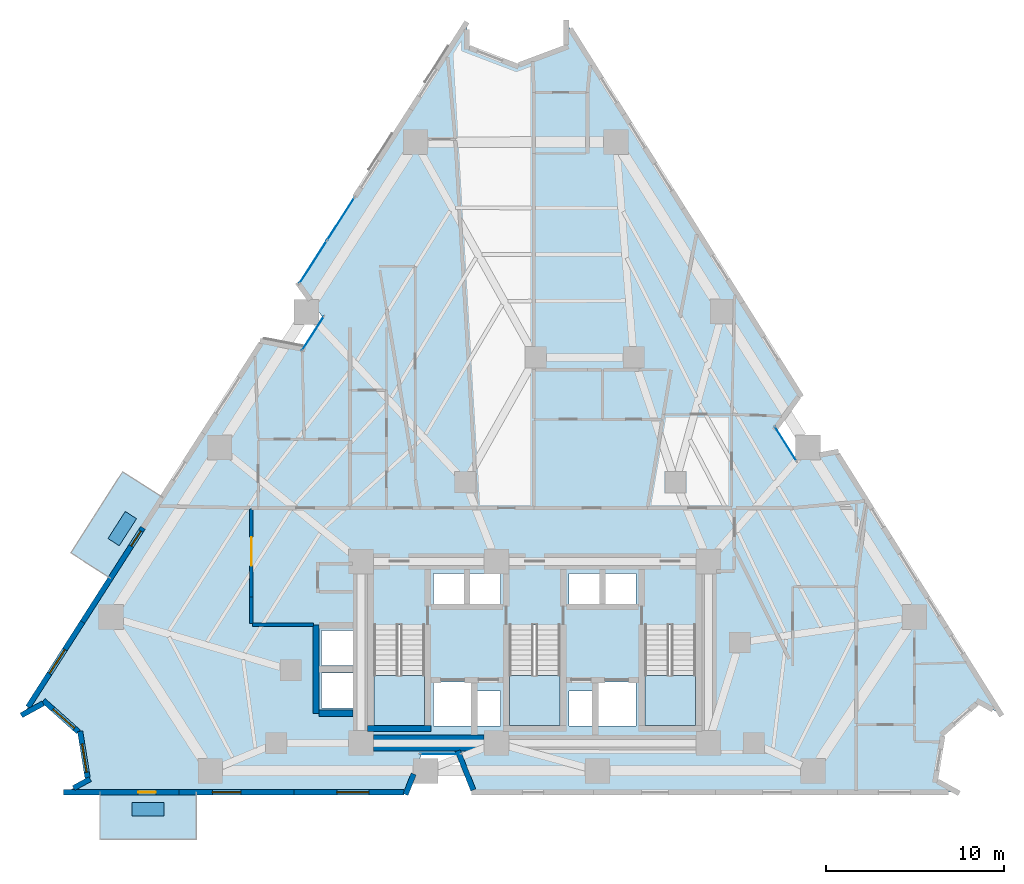
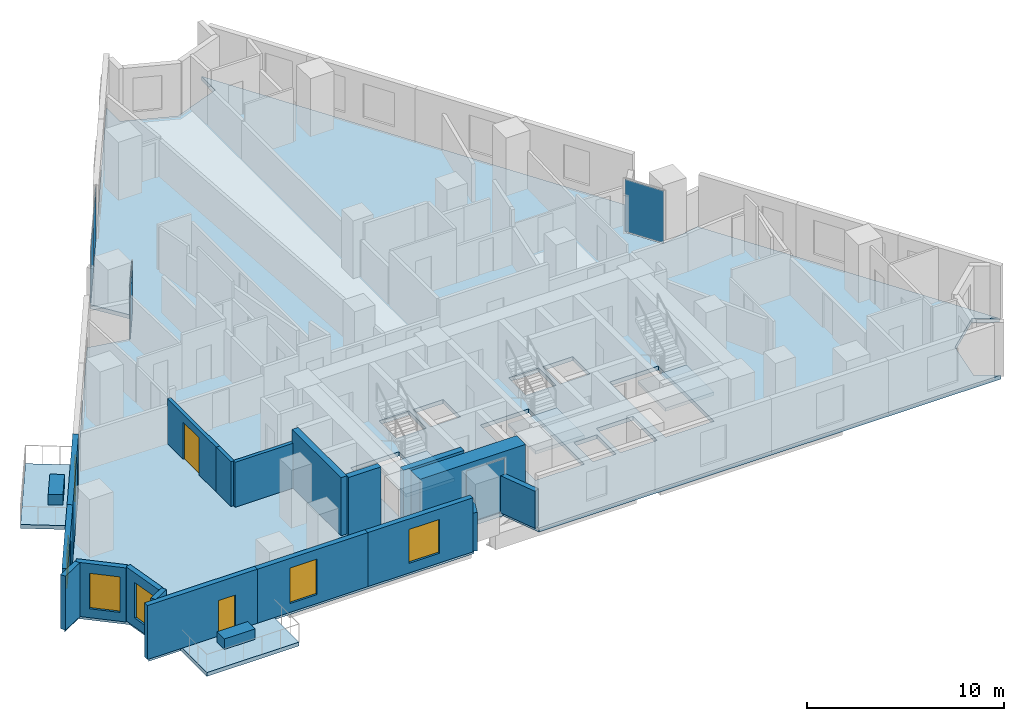
# One storey, part 5 of 14: 18 walls, 7 plates, 6 slabs, 5 windows, 3 doors, 8 openings, 7 elements without a shape of their own.
"""IFC4 building model written with IfcOpenShell, lengths in metres."""

from ifc_helpers import new_model, si_unit, direction, frame, frame_2d, origin, origin_2d, place, context, subcontext, project, spatial, polyline, rectangle, outline, extrude, material, layer, layer_set, type_object, element, fill, aggregate, save


model = new_model("IFC4")

# Units and contexts
model_context = context("Model", 3, precision=1e-05, world=origin(), true_north=direction((0.0, 1.0)))
body_context = subcontext(model_context, "Body", "Model", "MODEL_VIEW")
ifc_project = project(units=[si_unit("LENGTHUNIT", "METRE"), si_unit("AREAUNIT", "SQUARE_METRE"), si_unit("VOLUMEUNIT", "CUBIC_METRE"), si_unit("PLANEANGLEUNIT", "RADIAN"), si_unit("MASSUNIT", "GRAM", prefix="KILO")], contexts=[model_context])

# Site, building, storey
site_placement = place(None, origin())
site = spatial("IfcSite", under=ifc_project, at=site_placement, CompositionType="ELEMENT")
building_placement = place(site_placement, origin())
building = spatial("IfcBuilding", under=site, at=building_placement, Name="Almagre Mirador Tower", CompositionType="ELEMENT")
storey_placement = place(building_placement, frame((0.0, 0.0, 67.800048828125)))
storey = spatial("IfcBuildingStorey", under=building, at=storey_placement, Name="L16", CompositionType="ELEMENT", Elevation=67.800048828125)

# Curtain wall, plate
ifc_material_1 = material(Name="Black anodized aluminium", Category="aluminium")
ifc_layer_1 = layer(ifc_material_1, 0.169921875)
ifc_layer_set_1 = layer_set([ifc_layer_1], Name="Black anodized aluminium")
curtain_wall_type_1 = type_object("IfcCurtainWallType", Name="CW-CRS-SYS", PredefinedType="NOTDEFINED", material=ifc_layer_set_1)
curtain_wall_1_placement = place(storey_placement, origin())
curtain_wall_1 = element("IfcCurtainWall", 1, at=curtain_wall_1_placement, inside=storey, type_object=curtain_wall_type_1, Name="L16 vertical crease curtain wall 01", PredefinedType="NOTDEFINED")
ifc_material_2 = material(Name="Dark solar-control laminated hurricane glass", Category="glass")
ifc_layer_2 = layer(ifc_material_2, 0.028076171875)
ifc_layer_set_2 = layer_set([ifc_layer_2], Name="Dark solar-control laminated hurricane glass")
plate_type_1 = type_object("IfcPlateType", Name="PLT-GLZ-28", PredefinedType="CURTAIN_PANEL", material=ifc_layer_set_2)
plate_1_placement = place(storey_placement, frame((24.8515625, 27.547607421875, 0.06005859375), z_axis=(0.0, 0.0, 1.0), x_axis=(0.539451307029, 0.842016797543, 0.0)))
plate_1 = element("IfcPlate", 2, at=plate_1_placement, type_object=plate_type_1, Name="CW-4 panel 1.1", PredefinedType="CURTAIN_PANEL", context=body_context, shape_type="SweptSolid", body=[
    extrude(rectangle(XDim=2.2490234375, YDim=0.028076171875, at=origin_2d()), origin(), (0.0, 0.0, 1.0), 3.22998046875),
])
aggregate(curtain_wall_1, [plate_1])

curtain_wall_2_placement = place(storey_placement, origin())
curtain_wall_2 = element("IfcCurtainWall", 3, at=curtain_wall_2_placement, inside=storey, type_object=curtain_wall_type_1, Name="L16 vertical crease curtain wall 03", PredefinedType="NOTDEFINED")
plate_2_placement = place(storey_placement, frame((51.37890625, 21.35302734375, 0.06005859375), z_axis=(0.0, 0.0, 1.0), x_axis=(0.532007369615, -0.8467397231, 0.0)))
plate_2 = element("IfcPlate", 4, at=plate_2_placement, type_object=plate_type_1, Name="CW-4 panel 1.1", PredefinedType="CURTAIN_PANEL", context=body_context, shape_type="SweptSolid", body=[
    extrude(rectangle(XDim=2.250244140625, YDim=0.028076171875, at=origin_2d()), origin(), (0.0, 0.0, 1.0), 3.22998046875),
])
aggregate(curtain_wall_2, [plate_2])

curtain_wall_3_placement = place(storey_placement, origin())
curtain_wall_3 = element("IfcCurtainWall", 5, at=curtain_wall_3_placement, inside=storey, type_object=curtain_wall_type_1, Name="L16 vertical crease curtain wall 04", PredefinedType="NOTDEFINED")
plate_3_placement = place(storey_placement, frame((32.0, 3.949951171875, 0.06005859375), z_axis=(0.0, 0.0, 1.0), x_axis=(-1.0, 0.0, 0.0)))
plate_3 = element("IfcPlate", 6, at=plate_3_placement, type_object=plate_type_1, Name="CW-4 panel 1.1", PredefinedType="CURTAIN_PANEL", context=body_context, shape_type="SweptSolid", body=[
    extrude(rectangle(XDim=2.25, YDim=0.028076171875, at=origin_2d()), origin(), (0.0, 0.0, 1.0), 3.22998046875),
])
aggregate(curtain_wall_3, [plate_3])

# Curtain wall, plates
ifc_material_3 = material(Name="Black anodized aluminium", Category="aluminium")
ifc_layer_3 = layer(ifc_material_3, 0.18994140625)
ifc_layer_set_3 = layer_set([ifc_layer_3], Name="Black anodized aluminium")
curtain_wall_type_2 = type_object("IfcCurtainWallType", Name="CW-RES-L-SYS", PredefinedType="NOTDEFINED", material=ifc_layer_set_3)
curtain_wall_4_placement = place(storey_placement, origin())
curtain_wall_4 = element("IfcCurtainWall", 7, at=curtain_wall_4_placement, inside=storey, type_object=curtain_wall_type_2, Name="L16 curtain wall run 02", PredefinedType="NOTDEFINED")
ifc_material_4 = material(Name="Dark solar-control laminated hurricane glass", Category="glass")
ifc_layer_4 = layer(ifc_material_4, 0.031982421875)
ifc_layer_set_4 = layer_set([ifc_layer_4], Name="Dark solar-control laminated hurricane glass")
plate_type_2 = type_object("IfcPlateType", Name="PLT-GLZ-32", PredefinedType="CURTAIN_PANEL", material=ifc_layer_set_4)
plate_4_placement = place(storey_placement, frame((24.860595703125, 31.546875, 0.06005859375), z_axis=(0.0, 0.0, 1.0), x_axis=(0.539516366691, 0.841975112502, 0.0)))
plate_4 = element("IfcPlate", 8, at=plate_4_placement, type_object=plate_type_2, Name="CW-2 panel 1.1", PredefinedType="CURTAIN_PANEL", context=body_context, shape_type="SweptSolid", body=[
    extrude(rectangle(XDim=2.815185546875, YDim=0.031982421875, at=origin_2d()), origin(), (0.0, 0.0, 1.0), 3.22998046875),
])
plate_5_placement = place(storey_placement, frame((26.41455078125, 33.97216796875, 0.06005859375), z_axis=(0.0, 0.0, 1.0), x_axis=(0.539516366691, 0.841975112502, 0.0)))
plate_5 = element("IfcPlate", 9, at=plate_5_placement, type_object=plate_type_2, Name="CW-2 panel 2.1", PredefinedType="CURTAIN_PANEL", context=body_context, shape_type="SweptSolid", body=[
    extrude(rectangle(XDim=2.815185546875, YDim=0.031982421875, at=origin_2d()), origin(), (0.0, 0.0, 1.0), 3.22998046875),
])
aggregate(curtain_wall_4, [plate_4, plate_5])

# Plates
ifc_material_5 = material(Name="Precast concrete C50/60", Category="concrete")
ifc_layer_5 = layer(ifc_material_5, 0.64990234375)
ifc_layer_set_5 = layer_set([ifc_layer_5], Name="Precast concrete C50/60")
plate_type_3 = type_object("IfcPlateType", Name="PLT-PLANTER-1800", PredefinedType="USERDEFINED", material=ifc_layer_set_5)
for number, where, z_axis, x_axis, name in (
    (10, (15.60009765625, 0.85009765625, 0.0), (0.0, 0.0, 1.0), (1.0, 0.0, 0.0), "L16 south balcony structural tree planter 1"),
    (11, (14.14990234375, 16.593017578125, 0.0), (0.0, 0.0, 1.0), (-0.539505758171, -0.841981910079, 0.0), "L16 west balcony structural tree planter 2"),
):
    element("IfcPlate", number, at=place(storey_placement, frame(where, z_axis=z_axis, x_axis=x_axis)), inside=storey, type_object=plate_type_3, Name=name, ObjectType="PLANTER", PredefinedType="USERDEFINED", context=body_context, shape_type="SweptSolid", body=[
        extrude(rectangle(XDim=1.800048828125, YDim=0.75, at=origin_2d()), origin(), (0.0, 0.0, 1.0), 0.64990234375),
    ])

# Slabs
ifc_material_6 = material(Name="Concrete C45/55", Category="concrete")
ifc_layer_6 = layer(ifc_material_6, 0.239990234375)
ifc_layer_set_6 = layer_set([ifc_layer_6], Name="Concrete C45/55")
slab_type_1 = type_object("IfcSlabType", Name="SLB-BAL-240", PredefinedType="USERDEFINED", material=ifc_layer_set_6)
slab_1_placement = place(storey_placement, frame((0.0, 0.0, -0.239990234375)))
element("IfcSlab", 12, at=slab_1_placement, inside=storey, type_object=slab_type_1, Name="L16 south planted tree balcony 1", ObjectType="BALCONY", PredefinedType="USERDEFINED", context=body_context, shape_type="SweptSolid", body=[
    extrude(outline(polyline([(12.89990234375, 1.820068359375), (18.300048828125, 1.820068359375), (18.300048828125, -0.85009765625), (12.89990234375, -0.85009765625), (12.89990234375, 1.820068359375)])), origin(), (0.0, 0.0, 1.0), 0.239990234375),
])
slab_2_placement = place(storey_placement, frame((0.0, 0.0, -0.239990234375)))
element("IfcSlab", 13, at=slab_2_placement, inside=storey, type_object=slab_type_1, Name="L16 west planted tree balcony 2", ObjectType="BALCONY", PredefinedType="USERDEFINED", context=body_context, shape_type="SweptSolid", body=[
    extrude(outline(polyline([(16.424072265625, 18.342041015625), (13.510009765625, 13.7958984375), (11.261962890625, 15.236083984375), (14.175048828125, 19.782958984375), (16.424072265625, 18.342041015625)])), origin(), (0.0, 0.0, 1.0), 0.239990234375),
])
ifc_material_7 = material(Name="Concrete C45/55", Category="concrete")
ifc_layer_7 = layer(ifc_material_7, 0.25)
ifc_layer_set_7 = layer_set([ifc_layer_7], Name="Concrete C45/55")
slab_type_2 = type_object("IfcSlabType", Name="SLB-FLR-250", PredefinedType="FLOOR", material=ifc_layer_set_7)
slab_3_placement = place(storey_placement, frame((0.0, 0.0, -0.25)))
element("IfcSlab", 14, at=slab_3_placement, inside=storey, type_object=slab_type_2, Name="L16 structural floor slab", PredefinedType="FLOOR", context=body_context, shape_type="SweptSolid", body=[
    extrude(outline(polyline([(8.60498046875, 6.177978515625), (9.8291015625, 6.847900390625), (11.804931640625, 5.083984375), (12.22412109375, 2.468994140625), (11.0, 1.800048828125), (30.10009765625, 1.800048828125), (30.955078125, 3.949951171875), (33.044921875, 3.949951171875), (33.89990234375, 1.800048828125), (61.0, 1.800048828125), (59.779052734375, 2.47509765625), (60.2099609375, 5.111083984375), (62.212890625, 6.8779296875), (63.43408203125, 6.202880859375), (54.2099609375, 20.887939453125), (51.93505859375, 20.468017578125), (50.822998046875, 22.238037109375), (52.18896484375, 24.10498046875), (39.06591796875, 44.9970703125), (39.06005859375, 43.60205078125), (36.26904296875, 42.555908203125), (33.488037109375, 43.626953125), (33.4951171875, 45.02197265625), (24.06591796875, 30.306884765625), (25.4150390625, 28.427001953125), (24.2880859375, 26.66796875), (22.01611328125, 27.10791015625), (8.60498046875, 6.177978515625)]), holes=[polyline([(43.47509765625, 11.196044921875), (46.324951171875, 11.196044921875), (46.324951171875, 5.550048828125), (43.47509765625, 5.550048828125), (43.47509765625, 11.196044921875)]), polyline([(40.820068359375, 5.52001953125), (40.820068359375, 7.97998046875), (42.97998046875, 7.97998046875), (42.97998046875, 5.52001953125), (40.820068359375, 5.52001953125)]), polyline([(41.219970703125, 12.320068359375), (41.219970703125, 14.080078125), (42.97998046875, 14.080078125), (42.97998046875, 12.320068359375), (41.219970703125, 12.320068359375)]), polyline([(39.219970703125, 12.320068359375), (39.219970703125, 14.080078125), (40.97998046875, 14.080078125), (40.97998046875, 12.320068359375), (39.219970703125, 12.320068359375)]), polyline([(39.219970703125, 5.52001953125), (39.219970703125, 7.47998046875), (40.580078125, 7.47998046875), (40.580078125, 5.52001953125), (39.219970703125, 5.52001953125)]), polyline([(35.875, 11.196044921875), (38.72509765625, 11.196044921875), (38.72509765625, 5.550048828125), (35.875, 5.550048828125), (35.875, 11.196044921875)]), polyline([(35.3798828125, 5.52001953125), (34.02001953125, 5.52001953125), (34.02001953125, 7.47998046875), (35.3798828125, 7.47998046875), (35.3798828125, 5.52001953125)]), polyline([(35.3798828125, 12.320068359375), (33.6201171875, 12.320068359375), (33.6201171875, 14.080078125), (35.3798828125, 14.080078125), (35.3798828125, 12.320068359375)]), polyline([(31.6201171875, 5.52001953125), (31.6201171875, 7.97998046875), (33.780029296875, 7.97998046875), (33.780029296875, 5.52001953125), (31.6201171875, 5.52001953125)]), polyline([(31.6201171875, 12.320068359375), (31.6201171875, 14.080078125), (33.3798828125, 14.080078125), (33.3798828125, 12.320068359375), (31.6201171875, 12.320068359375)]), polyline([(28.27490234375, 5.550048828125), (28.27490234375, 11.196044921875), (31.125, 11.196044921875), (31.125, 5.550048828125), (28.27490234375, 5.550048828125)]), polyline([(25.320068359375, 6.52001953125), (25.320068359375, 8.47998046875), (27.3798828125, 8.47998046875), (27.3798828125, 6.52001953125), (25.320068359375, 6.52001953125)]), polyline([(25.320068359375, 8.919921875), (25.320068359375, 10.8798828125), (27.3798828125, 10.8798828125), (27.3798828125, 8.919921875), (25.320068359375, 8.919921875)])]), origin(), (0.0, 0.0, 1.0), 0.25),
])

# Stair, slab
ifc_material_8 = material(Name="Concrete C45/55", Category="concrete")
stair_type = type_object("IfcStairType", Name="STR-DL-3600", PredefinedType="HALF_TURN_STAIR", material=ifc_material_8)
stair_1_placement = place(storey_placement, origin())
stair_1 = element("IfcStair", 15, at=stair_1_placement, inside=storey, type_object=stair_type, Name="L16 Protected exit stair ST-1", PredefinedType="HALF_TURN_STAIR")
ifc_material_9 = material(Name="Concrete C45/55", Category="concrete")
ifc_layer_8 = layer(ifc_material_9, 0.199951171875)
ifc_layer_set_8 = layer_set([ifc_layer_8], Name="Concrete C45/55")
slab_type_3 = type_object("IfcSlabType", Name="SLB-LND-200", PredefinedType="LANDING", material=ifc_layer_set_8)
slab_4_placement = place(storey_placement, frame((0.0, 0.0, 1.599853515625)))
slab_4 = element("IfcSlab", 16, at=slab_4_placement, type_object=slab_type_3, Name="ST-1 landing 1", PredefinedType="LANDING", context=body_context, shape_type="SweptSolid", body=[
    extrude(outline(polyline([(28.27490234375, 8.35009765625), (28.27490234375, 5.550048828125), (31.125, 5.550048828125), (31.125, 8.35009765625), (28.27490234375, 8.35009765625)])), origin(), (0.0, 0.0, 1.0), 0.2001953125),
])
aggregate(stair_1, [slab_4])

stair_2_placement = place(storey_placement, origin())
stair_2 = element("IfcStair", 17, at=stair_2_placement, inside=storey, type_object=stair_type, Name="L16 Protected exit stair ST-2", PredefinedType="HALF_TURN_STAIR")
slab_5_placement = place(storey_placement, frame((0.0, 0.0, 1.599853515625)))
slab_5 = element("IfcSlab", 18, at=slab_5_placement, type_object=slab_type_3, Name="ST-2 landing 1", PredefinedType="LANDING", context=body_context, shape_type="SweptSolid", body=[
    extrude(outline(polyline([(35.875, 8.35009765625), (35.875, 5.550048828125), (38.72509765625, 5.550048828125), (38.72509765625, 8.35009765625), (35.875, 8.35009765625)])), origin(), (0.0, 0.0, 1.0), 0.2001953125),
])
aggregate(stair_2, [slab_5])

stair_3_placement = place(storey_placement, origin())
stair_3 = element("IfcStair", 19, at=stair_3_placement, inside=storey, type_object=stair_type, Name="L16 Protected exit stair ST-3", PredefinedType="HALF_TURN_STAIR")
slab_6_placement = place(storey_placement, frame((0.0, 0.0, 1.599853515625)))
slab_6 = element("IfcSlab", 20, at=slab_6_placement, type_object=slab_type_3, Name="ST-3 landing 1", PredefinedType="LANDING", context=body_context, shape_type="SweptSolid", body=[
    extrude(outline(polyline([(43.47509765625, 8.35009765625), (43.47509765625, 5.550048828125), (46.324951171875, 5.550048828125), (46.324951171875, 8.35009765625), (43.47509765625, 8.35009765625)])), origin(), (0.0, 0.0, 1.0), 0.2001953125),
])
aggregate(stair_3, [slab_6])

# Walls
ifc_material_10 = material(Name="Precast concrete C50/60", Category="concrete")
ifc_layer_9 = layer(ifc_material_10, 0.300048828125)
ifc_layer_set_9 = layer_set([ifc_layer_9], Name="Precast concrete C50/60")
wall_type_1 = type_object("IfcWallType", Name="WAL-EXT-300", PredefinedType="SOLIDWALL", material=ifc_layer_set_9)
wall_1_placement = place(storey_placement, frame((33.85009765625, 1.92529296875, 0.0), z_axis=(0.0, 0.0, 1.0), x_axis=(-0.36946923074, 0.92924296475, 0.0)))
element("IfcWall", 21, at=wall_1_placement, inside=storey, type_object=wall_type_1, Name="L16 expressed almagre precast frame wall 26", PredefinedType="SOLIDWALL", context=body_context, shape_type="SweptSolid", body=[
    extrude(rectangle(XDim=2.366943359375, YDim=0.300048828125, at=frame_2d((1.18359375, 0.0))), origin(), (0.0, 0.0, 1.0), 2.300048828125),
])
wall_2_placement = place(storey_placement, frame((30.506103515625, 2.82080078125, 0.0), z_axis=(0.0, 0.0, 1.0), x_axis=(-0.369588763291, -0.929195429417, 0.0)))
element("IfcWall", 22, at=wall_2_placement, inside=storey, type_object=wall_type_1, Name="L16 expressed almagre precast frame wall 27", PredefinedType="SOLIDWALL", context=body_context, shape_type="SweptSolid", body=[
    extrude(rectangle(XDim=1.238525390625, YDim=0.300048828125, at=frame_2d((0.619140625, 0.0))), origin(), (0.0, 0.0, 1.0), 2.375),
])

# Wall, opening, window
wall_3_placement = place(storey_placement, frame((29.9599609375, 1.800048828125, 0.0), z_axis=(0.0, 0.0, 1.0), x_axis=(-1.0, 0.0, 0.0)))
wall_3 = element("IfcWall", 23, at=wall_3_placement, inside=storey, type_object=wall_type_1, Name="L16 expressed almagre precast frame wall 28", PredefinedType="SOLIDWALL", context=body_context, shape_type="SweptSolid", body=[
    extrude(rectangle(XDim=6.179931640625, YDim=0.300048828125, at=frame_2d((3.08984375, 0.0))), origin(), (0.0, 0.0, 1.0), 3.349853515625),
])
opening_1_placement = place(wall_3_placement, frame((1.969970703125, 0.0, 0.60009765625)))
opening_1 = element("IfcOpeningElement", 24, at=opening_1_placement, cuts=wall_3, Name="Opening WN-01", PredefinedType="OPENING", context=body_context, shape_type="SweptSolid", body=[
    extrude(rectangle(XDim=1.800048828125, YDim=2.10009765625, at=frame_2d((0.89990234375, 1.050048828125))), frame((0.0, 0.159902, 0.0), z_axis=(0.0, -1.0, 0.0), x_axis=(1.0, 0.0, 0.0)), (0.0, 0.0, 1.0), 0.320049),
])
ifc_material_11 = material(Name="Dark solar-control laminated hurricane glass", Category="glass")
window_type_1 = type_object("IfcWindowType", Name="WIN-1800X2100", PartitioningType="DOUBLE_PANEL_VERTICAL", PredefinedType="WINDOW", material=ifc_material_11)
window_1_placement = place(opening_1_placement, origin())
window_1 = element("IfcWindow", 25, at=window_1_placement, inside=storey, type_object=window_type_1, Name="L16 recessed hurricane window L16-UA-KT", OverallHeight=2.10009765625, OverallWidth=1.800048828125, PartitioningType="SINGLE_PANEL", PredefinedType="WINDOW", context=body_context, shape_type="SweptSolid", body=[
    extrude(rectangle(XDim=1.800048828125, YDim=2.10009765625, at=frame_2d((0.89990234375, 1.050048828125))), frame((0.0, 0.030029296875, 0.0), z_axis=(0.0, -1.0, 0.0), x_axis=(1.0, 0.0, 0.0)), (0.0, 0.0, 1.0), 0.06005859375),
])
fill(opening_1, window_1)

wall_4_placement = place(storey_placement, frame((23.780029296875, 1.800048828125, 0.0), z_axis=(0.0, 0.0, 1.0), x_axis=(-1.0, 0.0, 0.0)))
wall_4 = element("IfcWall", 26, at=wall_4_placement, inside=storey, type_object=wall_type_1, Name="L16 expressed almagre precast frame wall 29", PredefinedType="SOLIDWALL", context=body_context, shape_type="SweptSolid", body=[
    extrude(rectangle(XDim=6.4599609375, YDim=0.300048828125, at=frame_2d((3.22998046875, 0.0))), origin(), (0.0, 0.0, 1.0), 3.349853515625),
])
opening_2_placement = place(wall_4_placement, frame((2.97509765625, 0.0, 0.550048828125)))
opening_2 = element("IfcOpeningElement", 27, at=opening_2_placement, cuts=wall_4, Name="Opening WN-06", PredefinedType="OPENING", context=body_context, shape_type="SweptSolid", body=[
    extrude(rectangle(XDim=1.60009765625, YDim=2.199951171875, at=frame_2d((0.800048828125, 1.10009765625))), frame((0.0, 0.159902, 0.0), z_axis=(0.0, -1.0, 0.0), x_axis=(1.0, 0.0, 0.0)), (0.0, 0.0, 1.0), 0.320049),
])
ifc_material_12 = material(Name="Dark solar-control laminated hurricane glass", Category="glass")
window_type_2 = type_object("IfcWindowType", Name="WIN-1600X2200", PartitioningType="DOUBLE_PANEL_VERTICAL", PredefinedType="WINDOW", material=ifc_material_12)
window_2_placement = place(opening_2_placement, origin())
window_2 = element("IfcWindow", 28, at=window_2_placement, inside=storey, type_object=window_type_2, Name="L16 recessed hurricane window L16-UA-ST", OverallHeight=2.199951171875, OverallWidth=1.60009765625, PartitioningType="SINGLE_PANEL", PredefinedType="WINDOW", context=body_context, shape_type="SweptSolid", body=[
    extrude(rectangle(XDim=1.60009765625, YDim=2.199951171875, at=frame_2d((0.800048828125, 1.10009765625))), frame((0.0, 0.030029296875, 0.0), z_axis=(0.0, -1.0, 0.0), x_axis=(1.0, 0.0, 0.0)), (0.0, 0.0, 1.0), 0.06005859375),
])
fill(opening_2, window_2)

# Wall, opening, door
wall_5_placement = place(storey_placement, frame((17.320068359375, 1.800048828125, 0.0), z_axis=(0.0, 0.0, 1.0), x_axis=(-1.0, 0.0, 0.0)))
wall_5 = element("IfcWall", 29, at=wall_5_placement, inside=storey, type_object=wall_type_1, Name="L16 expressed almagre precast frame wall 30", PredefinedType="SOLIDWALL", context=body_context, shape_type="SweptSolid", body=[
    extrude(rectangle(XDim=6.4599609375, YDim=0.300048828125, at=frame_2d((3.22998046875, 0.0))), origin(), (0.0, 0.0, 1.0), 3.349853515625),
])
opening_3_placement = place(wall_5_placement, frame((1.284912109375, 0.0, 0.0)))
opening_3 = element("IfcOpeningElement", 30, at=opening_3_placement, cuts=wall_5, Name="Opening BD-01", PredefinedType="OPENING", context=body_context, shape_type="SweptSolid", body=[
    extrude(rectangle(XDim=1.0, YDim=2.199951171875, at=frame_2d((0.5, 1.10009765625))), frame((0.0, 0.159902, 0.0), z_axis=(0.0, -1.0, 0.0), x_axis=(1.0, 0.0, 0.0)), (0.0, 0.0, 1.0), 0.320049),
])
ifc_material_13 = material(Name="Black anodized aluminium and laminated glass", Category="aluminium")
door_type_1 = type_object("IfcDoorType", Name="DOR-BAL-1000X2200", OperationType="NOTDEFINED", PredefinedType="DOOR", material=ifc_material_13)
door_1_placement = place(opening_3_placement, origin())
door_1 = element("IfcDoor", 31, at=door_1_placement, inside=storey, type_object=door_type_1, Name="DR-0529 L16 south balcony glazed door 1", OperationType="SINGLE_SWING_RIGHT", OverallHeight=2.199951171875, OverallWidth=1.0, PredefinedType="DOOR", context=body_context, shape_type="SweptSolid", body=[
    extrude(rectangle(XDim=1.0, YDim=2.199951171875, at=frame_2d((0.5, 1.10009765625))), frame((0.0, 0.02490234375, 0.0), z_axis=(0.0, -1.0, 0.0), x_axis=(1.0, 0.0, 0.0)), (0.0, 0.0, 1.0), 0.050048828125),
])
fill(opening_3, door_1)

# Wall
wall_6_placement = place(storey_placement, frame((11.421142578125, 2.0302734375, 0.0), z_axis=(0.0, 0.0, 1.0), x_axis=(0.877488347229, 0.479597957124, 0.0)))
element("IfcWall", 32, at=wall_6_placement, inside=storey, type_object=wall_type_1, Name="L16 expressed almagre precast frame wall 31", PredefinedType="SOLIDWALL", context=body_context, shape_type="SweptSolid", body=[
    extrude(rectangle(XDim=1.0546875, YDim=0.300048828125, at=frame_2d((0.52734375, 0.0))), origin(), (0.0, 0.0, 1.0), 3.349853515625),
])

# Wall, opening, window
wall_7_placement = place(storey_placement, frame((12.20263671875, 2.602294921875, 0.0), z_axis=(0.0, 0.0, 1.0), x_axis=(-0.158173523246, 0.987411330978, 0.0)))
wall_7 = element("IfcWall", 33, at=wall_7_placement, inside=storey, type_object=wall_type_1, Name="L16 expressed almagre precast frame wall 32", PredefinedType="SOLIDWALL", context=body_context, shape_type="SweptSolid", body=[
    extrude(rectangle(XDim=2.6533203125, YDim=0.300048828125, at=frame_2d((1.32666015625, 0.0))), origin(), (0.0, 0.0, 1.0), 3.349853515625),
])
opening_4_placement = place(wall_7_placement, frame((0.324951171875, 0.0, 0.550048828125)))
opening_4 = element("IfcOpeningElement", 34, at=opening_4_placement, cuts=wall_7, Name="Opening WN-06", PredefinedType="OPENING", context=body_context, shape_type="SweptSolid", body=[
    extrude(rectangle(XDim=1.60009765625, YDim=2.199951171875, at=frame_2d((0.800048828125, 1.10009765625))), frame((0.0, 0.159902, 0.0), z_axis=(0.0, -1.0, 0.0), x_axis=(1.0, 0.0, 0.0)), (0.0, 0.0, 1.0), 0.320049),
])
window_3_placement = place(opening_4_placement, origin())
window_3 = element("IfcWindow", 35, at=window_3_placement, inside=storey, type_object=window_type_2, Name="L16 recessed hurricane window L16-RST-D", OverallHeight=2.199951171875, OverallWidth=1.60009765625, PartitioningType="SINGLE_PANEL", PredefinedType="WINDOW", context=body_context, shape_type="SweptSolid", body=[
    extrude(rectangle(XDim=1.60009765625, YDim=2.199951171875, at=frame_2d((0.800048828125, 1.10009765625))), frame((0.0, 0.030029296875, 0.0), z_axis=(0.0, -1.0, 0.0), x_axis=(1.0, 0.0, 0.0)), (0.0, 0.0, 1.0), 0.06005859375),
])
fill(opening_4, window_3)

wall_8_placement = place(storey_placement, frame((11.689208984375, 5.187255859375, 0.0), z_axis=(0.0, 0.0, 1.0), x_axis=(-0.745975491387, 0.665973397555, 0.0)))
wall_8 = element("IfcWall", 36, at=wall_8_placement, inside=storey, type_object=wall_type_1, Name="L16 expressed almagre precast frame wall 33", PredefinedType="SOLIDWALL", context=body_context, shape_type="SweptSolid", body=[
    extrude(rectangle(XDim=2.633544921875, YDim=0.300048828125, at=frame_2d((1.31689453125, 0.0))), origin(), (0.0, 0.0, 1.0), 3.349853515625),
])
opening_5_placement = place(wall_8_placement, frame((0.304931640625, 0.0, 0.550048828125)))
opening_5 = element("IfcOpeningElement", 37, at=opening_5_placement, cuts=wall_8, Name="Opening WN-06", PredefinedType="OPENING", context=body_context, shape_type="SweptSolid", body=[
    extrude(rectangle(XDim=1.60009765625, YDim=2.199951171875, at=frame_2d((0.800048828125, 1.10009765625))), frame((0.0, 0.159902, 0.0), z_axis=(0.0, -1.0, 0.0), x_axis=(1.0, 0.0, 0.0)), (0.0, 0.0, 1.0), 0.320049),
])
window_4_placement = place(opening_5_placement, origin())
window_4 = element("IfcWindow", 38, at=window_4_placement, inside=storey, type_object=window_type_2, Name="L16 recessed hurricane window L16-RST-D", OverallHeight=2.199951171875, OverallWidth=1.60009765625, PartitioningType="SINGLE_PANEL", PredefinedType="WINDOW", context=body_context, shape_type="SweptSolid", body=[
    extrude(rectangle(XDim=1.60009765625, YDim=2.199951171875, at=frame_2d((0.800048828125, 1.10009765625))), frame((0.0, 0.030029296875, 0.0), z_axis=(0.0, -1.0, 0.0), x_axis=(1.0, 0.0, 0.0)), (0.0, 0.0, 1.0), 0.06005859375),
])
fill(opening_5, window_4)

# Wall
wall_9_placement = place(storey_placement, frame((9.710693359375, 6.783203125, 0.0), z_axis=(0.0, 0.0, 1.0), x_axis=(-0.877215145436, -0.480097478245, 0.0)))
element("IfcWall", 39, at=wall_9_placement, inside=storey, type_object=wall_type_1, Name="L16 expressed almagre precast frame wall 34", PredefinedType="SOLIDWALL", context=body_context, shape_type="SweptSolid", body=[
    extrude(rectangle(XDim=1.400390625, YDim=0.300048828125, at=frame_2d((0.7001953125, 0.0))), origin(), (0.0, 0.0, 1.0), 3.349853515625),
])

# Wall, opening, window
wall_10_placement = place(storey_placement, frame((8.864013671875, 6.58203125, 0.0), z_axis=(0.0, 0.0, 1.0), x_axis=(0.539480467094, 0.841998114976, 0.0)))
wall_10 = element("IfcWall", 40, at=wall_10_placement, inside=storey, type_object=wall_type_1, Name="L16 expressed almagre precast frame wall 35", PredefinedType="SOLIDWALL", context=body_context, shape_type="SweptSolid", body=[
    extrude(rectangle(XDim=5.66455078125, YDim=0.300048828125, at=frame_2d((2.832275390625, 0.0))), origin(), (0.0, 0.0, 1.0), 3.349853515625),
])
opening_6_placement = place(wall_10_placement, frame((2.22998046875, 0.0, 0.550048828125)))
opening_6 = element("IfcOpeningElement", 41, at=opening_6_placement, cuts=wall_10, Name="Opening WN-06", PredefinedType="OPENING", context=body_context, shape_type="SweptSolid", body=[
    extrude(rectangle(XDim=1.60009765625, YDim=2.199951171875, at=frame_2d((0.800048828125, 1.10009765625))), frame((0.0, 0.159902, 0.0), z_axis=(0.0, -1.0, 0.0), x_axis=(1.0, 0.0, 0.0)), (0.0, 0.0, 1.0), 0.320049),
])
window_5_placement = place(opening_6_placement, origin())
window_5 = element("IfcWindow", 42, at=window_5_placement, inside=storey, type_object=window_type_2, Name="L16 recessed hurricane window L16-RST-D", OverallHeight=2.199951171875, OverallWidth=1.60009765625, PartitioningType="SINGLE_PANEL", PredefinedType="WINDOW", context=body_context, shape_type="SweptSolid", body=[
    extrude(rectangle(XDim=1.60009765625, YDim=2.199951171875, at=frame_2d((0.800048828125, 1.10009765625))), frame((0.0, 0.030029296875, 0.0), z_axis=(0.0, -1.0, 0.0), x_axis=(1.0, 0.0, 0.0)), (0.0, 0.0, 1.0), 0.06005859375),
])
fill(opening_6, window_5)

# Wall, opening, door
wall_11_placement = place(storey_placement, frame((11.919921875, 11.3515625, 0.0), z_axis=(0.0, 0.0, 1.0), x_axis=(0.539512200626, 0.841977781996, 0.0)))
wall_11 = element("IfcWall", 43, at=wall_11_placement, inside=storey, type_object=wall_type_1, Name="L16 expressed almagre precast frame wall 36", PredefinedType="SOLIDWALL", context=body_context, shape_type="SweptSolid", body=[
    extrude(rectangle(XDim=6.28466796875, YDim=0.300048828125, at=frame_2d((3.142333984375, 0.0))), origin(), (0.0, 0.0, 1.0), 3.349853515625),
])
opening_7_placement = place(wall_11_placement, frame((5.064453125, 0.0, 0.0)))
opening_7 = element("IfcOpeningElement", 44, at=opening_7_placement, cuts=wall_11, Name="Opening BD-01", PredefinedType="OPENING", context=body_context, shape_type="SweptSolid", body=[
    extrude(rectangle(XDim=1.0, YDim=2.199951171875, at=frame_2d((0.5, 1.10009765625))), frame((0.0, 0.159902, 0.0), z_axis=(0.0, -1.0, 0.0), x_axis=(1.0, 0.0, 0.0)), (0.0, 0.0, 1.0), 0.320049),
])
door_2_placement = place(opening_7_placement, origin())
door_2 = element("IfcDoor", 45, at=door_2_placement, inside=storey, type_object=door_type_1, Name="DR-0530 L16 west balcony glazed door 2", OperationType="SINGLE_SWING_LEFT", OverallHeight=2.199951171875, OverallWidth=1.0, PredefinedType="DOOR", context=body_context, shape_type="SweptSolid", body=[
    extrude(rectangle(XDim=1.0, YDim=2.199951171875, at=frame_2d((0.5, 1.10009765625))), frame((0.0, 0.02490234375, 0.0), z_axis=(0.0, -1.0, 0.0), x_axis=(1.0, 0.0, 0.0)), (0.0, 0.0, 1.0), 0.050048828125),
])
fill(opening_7, door_2)

ifc_material_14 = material(Name="Gypsum acoustic stud partition", Category="other")
ifc_layer_10 = layer(ifc_material_14, 0.199951171875)
ifc_layer_set_10 = layer_set([ifc_layer_10], Name="Gypsum acoustic stud partition")
wall_type_2 = type_object("IfcWallType", Name="WAL-PRT-200-EI60", PredefinedType="PARTITIONING", material=ifc_layer_set_10)
wall_12_placement = place(storey_placement, frame((21.39990234375, 17.705078125, 0.0), z_axis=(0.0, 0.0, 1.0), x_axis=(0.0, -1.0, 0.0)))
wall_12 = element("IfcWall", 46, at=wall_12_placement, inside=storey, type_object=wall_type_2, Name="L16 interior partition 006", PredefinedType="PARTITIONING", context=body_context, shape_type="SweptSolid", body=[
    extrude(rectangle(XDim=4.955078125, YDim=0.199951171875, at=frame_2d((2.4775390625, 0.0))), origin(), (0.0, 0.0, 1.0), 2.786865234375),
])
opening_8_placement = place(wall_12_placement, frame((1.59716796875, 0.0, 0.0)))
opening_8 = element("IfcOpeningElement", 47, at=opening_8_placement, cuts=wall_12, Name="Opening ID-05", PredefinedType="OPENING", context=body_context, shape_type="SweptSolid", body=[
    extrude(rectangle(XDim=1.60009765625, YDim=2.300048828125, at=frame_2d((0.800048828125, 1.14990234375))), frame((0.0, 0.110098, 0.0), z_axis=(0.0, -1.0, 0.0), x_axis=(1.0, 0.0, 0.0)), (0.0, 0.0, 1.0), 0.219951),
])
ifc_material_15 = material(Name="Fire-rated acoustic timber", Category="wood")
door_type_2 = type_object("IfcDoorType", Name="DOR-FD60-1600X2300", OperationType="DOUBLE_DOOR_SINGLE_SWING", PredefinedType="DOOR", material=ifc_material_15)
door_3_placement = place(opening_8_placement, origin())
door_3 = element("IfcDoor", 48, at=door_3_placement, inside=storey, type_object=door_type_2, Name="DR-0536 L16 interior door L16-RCOR to L16-RST-D", OperationType="DOUBLE_DOOR_SINGLE_SWING", OverallHeight=2.300048828125, OverallWidth=1.60009765625, PredefinedType="DOOR", context=body_context, shape_type="SweptSolid", body=[
    extrude(rectangle(XDim=1.60009765625, YDim=2.300048828125, at=frame_2d((0.800048828125, 1.14990234375))), frame((0.0, 0.02490234375, 0.0), z_axis=(0.0, -1.0, 0.0), x_axis=(1.0, 0.0, 0.0)), (0.0, 0.0, 1.0), 0.050048828125),
])
fill(opening_8, door_3)

# Walls
wall_13_placement = place(storey_placement, frame((21.39990234375, 12.75, 0.0), z_axis=(0.0, 0.0, 1.0), x_axis=(0.0, -1.0, 0.0)))
element("IfcWall", 49, at=wall_13_placement, inside=storey, type_object=wall_type_2, Name="L16 interior partition 089", PredefinedType="PARTITIONING", context=body_context, shape_type="SweptSolid", body=[
    extrude(rectangle(XDim=1.489990234375, YDim=0.199951171875, at=frame_2d((0.7451171875, 0.0))), origin(), (0.0, 0.0, 1.0), 2.786865234375),
])
wall_14_placement = place(storey_placement, frame((21.449951171875, 11.199951171875, 0.0), z_axis=(0.0, 0.0, 1.0), x_axis=(1.0, 0.0, 0.0)))
element("IfcWall", 50, at=wall_14_placement, inside=storey, type_object=wall_type_2, Name="L16 interior partition 090", PredefinedType="PARTITIONING", context=body_context, shape_type="SweptSolid", body=[
    extrude(rectangle(XDim=3.419189453125, YDim=0.199951171875, at=frame_2d((1.70947265625, 0.0))), origin(), (0.0, 0.0, 1.0), 2.786865234375),
])
ifc_material_16 = material(Name="Concrete C60/75", Category="concrete")
ifc_layer_11 = layer(ifc_material_16, 0.35009765625)
ifc_layer_set_11 = layer_set([ifc_layer_11], Name="Concrete C60/75")
wall_type_3 = type_object("IfcWallType", Name="WAL-SHF-350", PredefinedType="SOLIDWALL", material=ifc_layer_set_11)
wall_15_placement = place(storey_placement, frame((27.925048828125, 5.375, 0.0), z_axis=(0.0, 0.0, 1.0), x_axis=(1.0, 0.0, 0.0)))
element("IfcWall", 51, at=wall_15_placement, inside=storey, type_object=wall_type_3, Name="L16 shaft wall ST1-S", PredefinedType="SOLIDWALL", context=body_context, shape_type="SweptSolid", body=[
    extrude(rectangle(XDim=3.550048828125, YDim=0.35009765625, at=frame_2d((1.77490234375, 0.0))), origin(), (0.0, 0.0, 1.0), 3.599853515625),
])
wall_16_placement = place(storey_placement, frame((25.02490234375, 6.22509765625, 0.0), z_axis=(0.0, 0.0, 1.0), x_axis=(0.0, 1.0, 0.0)))
element("IfcWall", 52, at=wall_16_placement, inside=storey, type_object=wall_type_3, Name="L16 shaft wall OL-W", PredefinedType="SOLIDWALL", context=body_context, shape_type="SweptSolid", body=[
    extrude(rectangle(XDim=4.949951171875, YDim=0.35009765625, at=frame_2d((2.47509765625, 0.0))), origin(), (0.0, 0.0, 1.0), 3.599853515625),
])
wall_17_placement = place(storey_placement, frame((25.199951171875, 6.22509765625, 0.0), z_axis=(0.0, 0.0, 1.0), x_axis=(1.0, 0.0, 0.0)))
element("IfcWall", 53, at=wall_17_placement, inside=storey, type_object=wall_type_3, Name="L16 shaft wall OL-S", PredefinedType="SOLIDWALL", context=body_context, shape_type="SweptSolid", body=[
    extrude(rectangle(XDim=1.900146484375, YDim=0.35009765625, at=frame_2d((0.9501953125, 0.0))), origin(), (0.0, 0.0, 1.0), 3.599853515625),
])
ifc_material_17 = material(Name="Concrete C70/85", Category="concrete")
ifc_layer_12 = layer(ifc_material_17, 0.89990234375)
ifc_layer_set_12 = layer_set([ifc_layer_12], Name="Concrete C70/85")
wall_type_4 = type_object("IfcWallType", Name="WAL-SHR-900", PredefinedType="SHEAR", material=ifc_layer_set_12)
wall_18_placement = place(storey_placement, frame((28.25, 4.550048828125, 0.0), z_axis=(0.0, 0.0, 1.0), x_axis=(1.0, 0.0, 0.0)))
element("IfcWall", 54, at=wall_18_placement, inside=storey, type_object=wall_type_4, Name="L16 core shear wall S1", PredefinedType="SHEAR", context=body_context, shape_type="SweptSolid", body=[
    extrude(rectangle(XDim=6.199951171875, YDim=0.89990234375, at=frame_2d((3.10009765625, 0.0))), origin(), (0.0, 0.0, 1.0), 3.599853515625),
])

save(model, "model.ifc")
